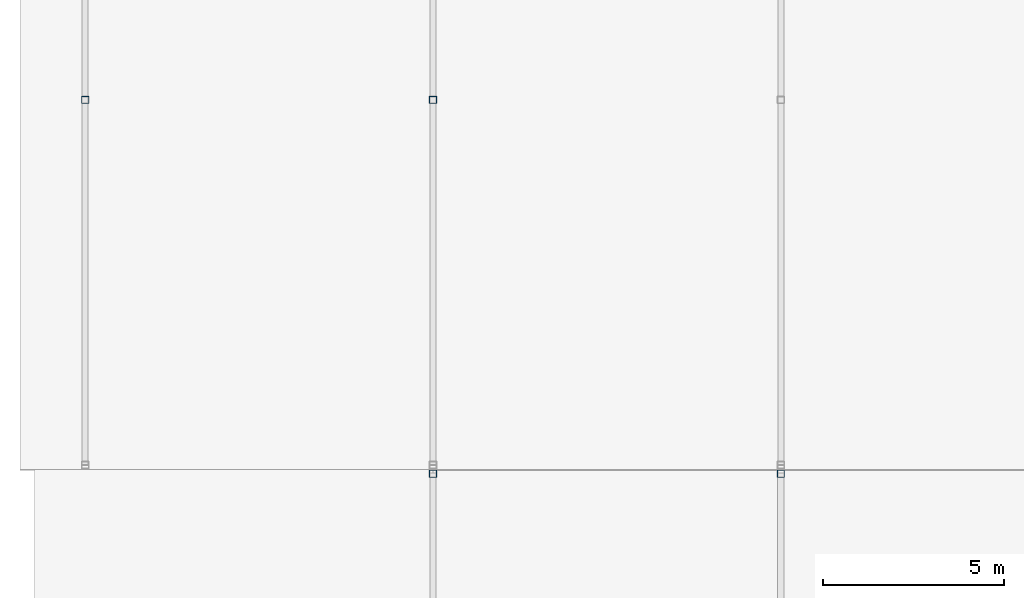
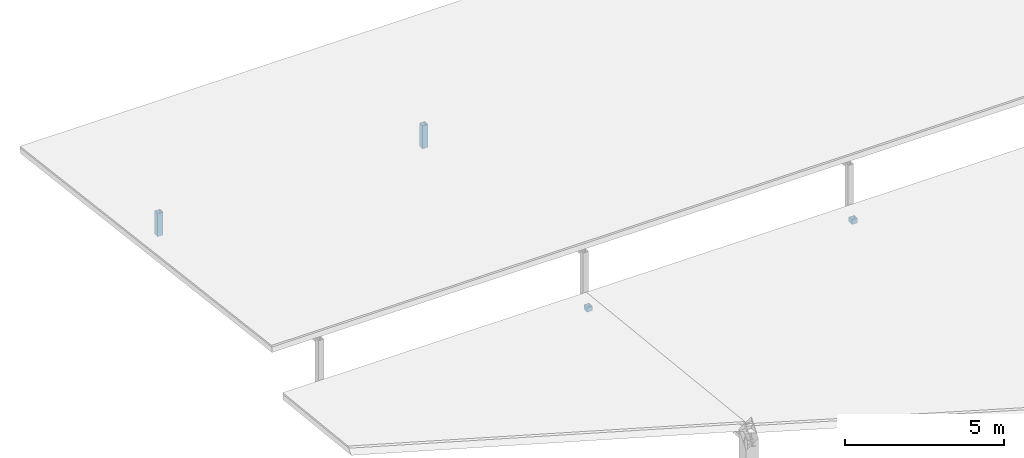
# One storey, part 7 of 11: 4 members.
"""IFC4 building model written with IfcOpenShell, lengths in metres."""

from ifc_helpers import new_model, si_unit, direction, frame, origin, origin_2d, place, context, subcontext, project, spatial, hollow_rectangle, extrude, material, material_profile, profile_set, type_object, element, save


model = new_model("IFC4")

# Units and contexts
model_context = context("Model", 3, precision=1e-05, world=origin(), true_north=direction((0.0, 1.0)))
body_context = subcontext(model_context, "Body", "Model", "MODEL_VIEW")
ifc_project = project(units=[si_unit("LENGTHUNIT", "METRE"), si_unit("AREAUNIT", "SQUARE_METRE"), si_unit("VOLUMEUNIT", "CUBIC_METRE"), si_unit("PLANEANGLEUNIT", "RADIAN"), si_unit("MASSUNIT", "GRAM", prefix="KILO")], contexts=[model_context])

# Site, building, storey
site_placement = place(None, origin())
site = spatial("IfcSite", under=ifc_project, at=site_placement, CompositionType="ELEMENT")
building_placement = place(site_placement, origin())
building = spatial("IfcBuilding", under=site, at=building_placement, Name="Vondelvale Polytechnic", CompositionType="ELEMENT")
storey_placement = place(building_placement, frame((0.0, 0.0, 34.800048828125)))
storey = spatial("IfcBuildingStorey", under=building, at=storey_placement, Name="Roof", CompositionType="ELEMENT", Elevation=34.800048828125)

# Members
ifc_material = material(Name="Steel C350L0 (fy = 350 MPa)", Category="steel")
ifc_material_profile = material_profile(ifc_material, hollow_rectangle(XDim=0.199951171875, YDim=0.199951171875, WallThickness=0.009033203125, at=origin_2d()), Name="200x200x9.0SHS")
ifc_profile_set = profile_set([ifc_material_profile], Name="Steel C350L0 (fy = 350 MPa)")
member_type = type_object("IfcMemberType", Name="ROOF TRUSS POST 200SHS", PredefinedType="POST", material=ifc_profile_set)
for number, where, z_axis, x_axis, name in (
    (1, (9.60009765625, 20.280029296875, 0.0), (0.0, 0.0, 1.0), (1.0, 0.0, 0.0), "Corner wing roof post 1"),
    (2, (19.199951171875, 20.280029296875, 0.0), (0.0, 0.0, 1.0), (1.0, 0.0, 0.0), "Corner wing roof post 1"),
):
    element("IfcMember", number, at=place(storey_placement, frame(where, z_axis=z_axis, x_axis=x_axis)), inside=storey, type_object=member_type, Name=name, PredefinedType="POST", context=body_context, shape_type="SweptSolid", body=[
        extrude(hollow_rectangle(XDim=0.199951171875, YDim=0.199951171875, WallThickness=0.009033203125, at=origin_2d()), origin(), (0.0, 0.0, 1.0), 0.17578125),
    ])
for number, where, z_axis, x_axis, name in (
    (3, (0.0, 30.60009765625, 0.0), (0.0, 0.0, 1.0), (1.0, 0.0, 0.0), "Corner wing roof post 2"),
    (4, (9.60009765625, 30.60009765625, 0.0), (0.0, 0.0, 1.0), (1.0, 0.0, 0.0), "Corner wing roof post 2"),
):
    element("IfcMember", number, at=place(storey_placement, frame(where, z_axis=z_axis, x_axis=x_axis)), inside=storey, type_object=member_type, Name=name, PredefinedType="POST", context=body_context, shape_type="SweptSolid", body=[
        extrude(hollow_rectangle(XDim=0.199951171875, YDim=0.199951171875, WallThickness=0.009033203125, at=origin_2d()), origin(), (0.0, 0.0, 1.0), 0.8798828125),
    ])

save(model, "model.ifc")
